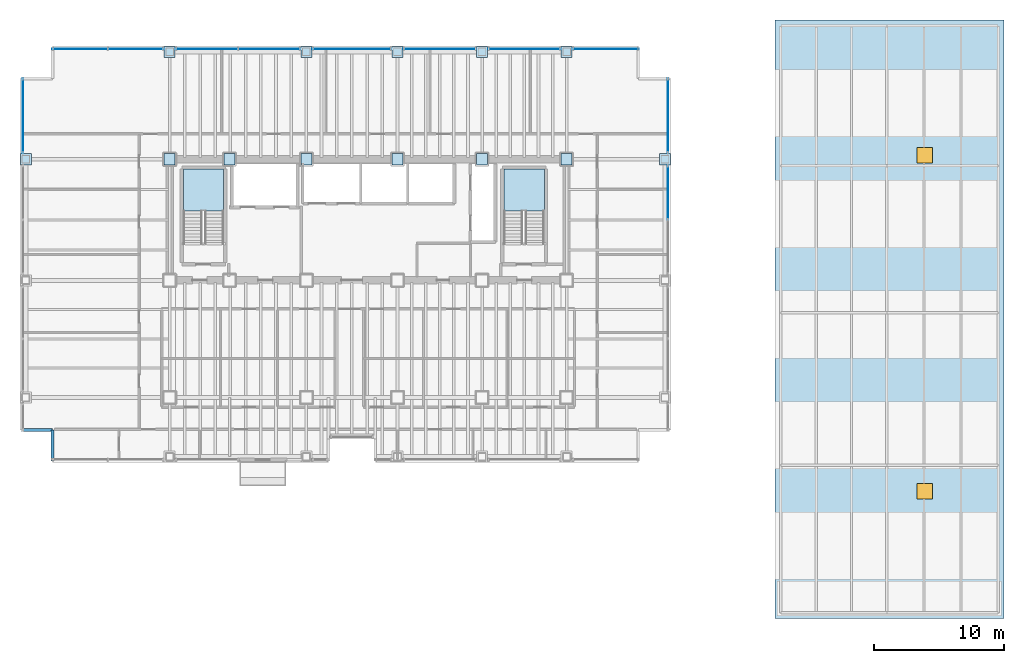
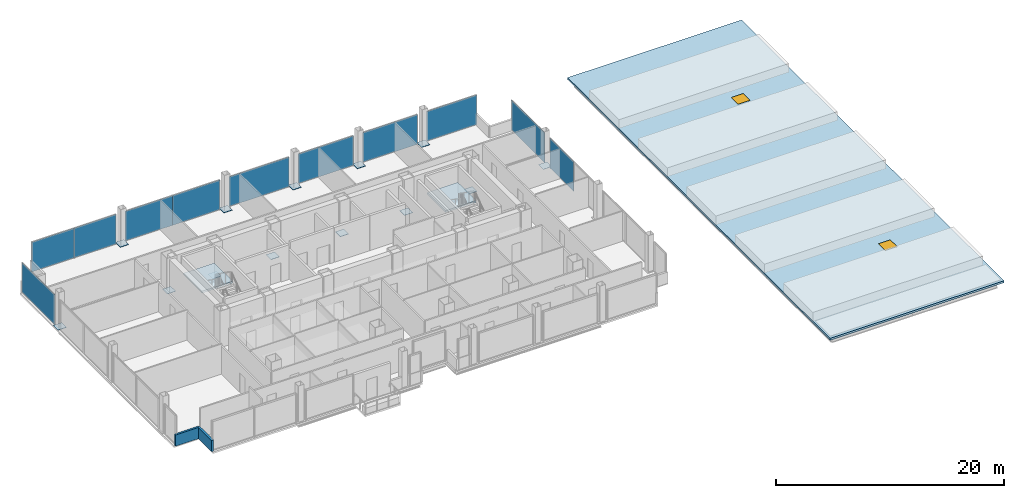
# One storey, part 24 of 30: 24 plates, 3 slabs, 2 walls, 2 windows, 2 openings, 11 elements without a shape of their own.
"""IFC4 building model written with IfcOpenShell, lengths in metres."""

from ifc_helpers import new_model, si_unit, direction, frame, frame_2d, origin, origin_2d, place, context, subcontext, project, spatial, polyline, rectangle, outline, extrude, material, layer, layer_set, type_object, element, fill, aggregate, save


model = new_model("IFC4")

# Units and contexts
model_context = context("Model", 3, precision=1e-05, world=origin(), true_north=direction((0.0, 1.0)))
body_context = subcontext(model_context, "Body", "Model", "MODEL_VIEW")
ifc_project = project(units=[si_unit("LENGTHUNIT", "METRE"), si_unit("AREAUNIT", "SQUARE_METRE"), si_unit("VOLUMEUNIT", "CUBIC_METRE"), si_unit("PLANEANGLEUNIT", "RADIAN"), si_unit("MASSUNIT", "GRAM", prefix="KILO")], contexts=[model_context])

# Site, building, storey
site_placement = place(None, origin())
site = spatial("IfcSite", under=ifc_project, at=site_placement, CompositionType="ELEMENT")
building_placement = place(site_placement, origin())
building = spatial("IfcBuilding", under=site, at=building_placement, Name="Noeulbin Bourse Tower", CompositionType="ELEMENT")
storey_placement = place(building_placement, frame((0.0, 0.0, 26.5)))
storey = spatial("IfcBuildingStorey", under=building, at=storey_placement, Name="L06", CompositionType="ELEMENT", Elevation=26.5)

# Curtain wall, plates
ifc_material_1 = material(Name="Dark Solar-Control Double Glazing", Category="glass")
curtain_wall_type = type_object("IfcCurtainWallType", Name="CW-SYS-2", PredefinedType="NOTDEFINED", material=ifc_material_1)
curtain_wall_1_placement = place(storey_placement, origin())
curtain_wall_1 = element("IfcCurtainWall", 1, at=curtain_wall_1_placement, inside=storey, type_object=curtain_wall_type, Name="Unitised Curtain Wall CW-L06-N-S1", PredefinedType="NOTDEFINED")
ifc_layer_1 = layer(ifc_material_1, 0.035888671875)
ifc_layer_set_1 = layer_set([ifc_layer_1], Name="Dark Solar-Control Double Glazing")
plate_type_1 = type_object("IfcPlateType", Name="CW-SYS-2-PNL", PredefinedType="CURTAIN_PANEL", material=ifc_layer_set_1)
plate_1_placement = place(storey_placement, frame((6.6201171875, 46.780029296875, 0.0), z_axis=(0.0, 0.0, 1.0), x_axis=(1.0, 0.0, 0.0)))
plate_1 = element("IfcPlate", 2, at=plate_1_placement, type_object=plate_type_1, Name="Glazed Curtain Panel CW-L06-N-S1-P00", PredefinedType="CURTAIN_PANEL", context=body_context, shape_type="SweptSolid", body=[
    extrude(rectangle(XDim=4.280029296875, YDim=0.035888671875, at=origin_2d()), origin(), (0.0, 0.0, 1.0), 3.179931640625),
])
plate_2_placement = place(storey_placement, frame((10.89990234375, 46.780029296875, 0.0), z_axis=(0.0, 0.0, 1.0), x_axis=(1.0, 0.0, 0.0)))
plate_2 = element("IfcPlate", 3, at=plate_2_placement, type_object=plate_type_1, Name="Glazed Curtain Panel CW-L06-N-S1-P01", PredefinedType="CURTAIN_PANEL", context=body_context, shape_type="SweptSolid", body=[
    extrude(rectangle(XDim=4.280029296875, YDim=0.035888671875, at=origin_2d()), origin(), (0.0, 0.0, 1.0), 3.179931640625),
])
aggregate(curtain_wall_1, [plate_1, plate_2])

curtain_wall_2_placement = place(storey_placement, origin())
curtain_wall_2 = element("IfcCurtainWall", 4, at=curtain_wall_2_placement, inside=storey, type_object=curtain_wall_type, Name="Unitised Curtain Wall CW-L06-N-S2", PredefinedType="NOTDEFINED")
plate_3_placement = place(storey_placement, frame((16.35498046875, 46.780029296875, 0.0), z_axis=(0.0, 0.0, 1.0), x_axis=(1.0, 0.0, 0.0)))
plate_3 = element("IfcPlate", 5, at=plate_3_placement, type_object=plate_type_1, Name="Glazed Curtain Panel CW-L06-N-S2-P00", PredefinedType="CURTAIN_PANEL", context=body_context, shape_type="SweptSolid", body=[
    extrude(rectangle(XDim=4.7900390625, YDim=0.035888671875, at=origin_2d()), origin(), (0.0, 0.0, 1.0), 3.179931640625),
])
plate_4_placement = place(storey_placement, frame((21.14501953125, 46.780029296875, 0.0), z_axis=(0.0, 0.0, 1.0), x_axis=(1.0, 0.0, 0.0)))
plate_4 = element("IfcPlate", 6, at=plate_4_placement, type_object=plate_type_1, Name="Glazed Curtain Panel CW-L06-N-S2-P01", PredefinedType="CURTAIN_PANEL", context=body_context, shape_type="SweptSolid", body=[
    extrude(rectangle(XDim=4.7900390625, YDim=0.035888671875, at=origin_2d()), origin(), (0.0, 0.0, 1.0), 3.179931640625),
])
aggregate(curtain_wall_2, [plate_3, plate_4])

# Curtain wall, plate
curtain_wall_3_placement = place(storey_placement, origin())
curtain_wall_3 = element("IfcCurtainWall", 7, at=curtain_wall_3_placement, inside=storey, type_object=curtain_wall_type, Name="Unitised Curtain Wall CW-L06-N-S3", PredefinedType="NOTDEFINED")
plate_5_placement = place(storey_placement, frame((27.5, 46.780029296875, 0.0), z_axis=(0.0, 0.0, 1.0), x_axis=(1.0, 0.0, 0.0)))
plate_5 = element("IfcPlate", 8, at=plate_5_placement, type_object=plate_type_1, Name="Glazed Curtain Panel CW-L06-N-S3-P00", PredefinedType="CURTAIN_PANEL", context=body_context, shape_type="SweptSolid", body=[
    extrude(rectangle(XDim=6.080078125, YDim=0.035888671875, at=origin_2d()), origin(), (0.0, 0.0, 1.0), 3.179931640625),
])
aggregate(curtain_wall_3, [plate_5])

curtain_wall_4_placement = place(storey_placement, origin())
curtain_wall_4 = element("IfcCurtainWall", 9, at=curtain_wall_4_placement, inside=storey, type_object=curtain_wall_type, Name="Unitised Curtain Wall CW-L06-N-S4", PredefinedType="NOTDEFINED")
plate_6_placement = place(storey_placement, frame((34.25, 46.780029296875, 0.0), z_axis=(0.0, 0.0, 1.0), x_axis=(1.0, 0.0, 0.0)))
plate_6 = element("IfcPlate", 10, at=plate_6_placement, type_object=plate_type_1, Name="Glazed Curtain Panel CW-L06-N-S4-P00", PredefinedType="CURTAIN_PANEL", context=body_context, shape_type="SweptSolid", body=[
    extrude(rectangle(XDim=5.580078125, YDim=0.035888671875, at=origin_2d()), origin(), (0.0, 0.0, 1.0), 3.179931640625),
])
aggregate(curtain_wall_4, [plate_6])

curtain_wall_5_placement = place(storey_placement, origin())
curtain_wall_5 = element("IfcCurtainWall", 11, at=curtain_wall_5_placement, inside=storey, type_object=curtain_wall_type, Name="Unitised Curtain Wall CW-L06-N-S5", PredefinedType="NOTDEFINED")
plate_7_placement = place(storey_placement, frame((40.75, 46.780029296875, 0.0), z_axis=(0.0, 0.0, 1.0), x_axis=(1.0, 0.0, 0.0)))
plate_7 = element("IfcPlate", 12, at=plate_7_placement, type_object=plate_type_1, Name="Glazed Curtain Panel CW-L06-N-S5-P00", PredefinedType="CURTAIN_PANEL", context=body_context, shape_type="SweptSolid", body=[
    extrude(rectangle(XDim=5.580078125, YDim=0.035888671875, at=origin_2d()), origin(), (0.0, 0.0, 1.0), 3.179931640625),
])
aggregate(curtain_wall_5, [plate_7])

curtain_wall_6_placement = place(storey_placement, origin())
curtain_wall_6 = element("IfcCurtainWall", 13, at=curtain_wall_6_placement, inside=storey, type_object=curtain_wall_type, Name="Unitised Curtain Wall CW-L06-N-S6", PredefinedType="NOTDEFINED")
plate_8_placement = place(storey_placement, frame((46.989990234375, 46.780029296875, 0.0), z_axis=(0.0, 0.0, 1.0), x_axis=(1.0, 0.0, 0.0)))
plate_8 = element("IfcPlate", 14, at=plate_8_placement, type_object=plate_type_1, Name="Glazed Curtain Panel CW-L06-N-S6-P00", PredefinedType="CURTAIN_PANEL", context=body_context, shape_type="SweptSolid", body=[
    extrude(rectangle(XDim=5.06005859375, YDim=0.035888671875, at=origin_2d()), origin(), (0.0, 0.0, 1.0), 3.179931640625),
])
aggregate(curtain_wall_6, [plate_8])

curtain_wall_7_placement = place(storey_placement, origin())
curtain_wall_7 = element("IfcCurtainWall", 15, at=curtain_wall_7_placement, inside=storey, type_object=curtain_wall_type, Name="Unitised Curtain Wall CW-L06-W-S4", PredefinedType="NOTDEFINED")
plate_9_placement = place(storey_placement, frame((2.219970703125, 41.639892578125, 0.0), z_axis=(0.0, 0.0, 1.0), x_axis=(0.0, 1.0, 0.0)))
plate_9 = element("IfcPlate", 16, at=plate_9_placement, type_object=plate_type_1, Name="Glazed Curtain Panel CW-L06-W-S4-P00", PredefinedType="CURTAIN_PANEL", context=body_context, shape_type="SweptSolid", body=[
    extrude(rectangle(XDim=5.760009765625, YDim=0.035888671875, at=origin_2d()), origin(), (0.0, 0.0, 1.0), 3.179931640625),
])
aggregate(curtain_wall_7, [plate_9])

curtain_wall_8_placement = place(storey_placement, origin())
curtain_wall_8 = element("IfcCurtainWall", 17, at=curtain_wall_8_placement, inside=storey, type_object=curtain_wall_type, Name="Unitised Curtain Wall CW-L06-E-S3", PredefinedType="NOTDEFINED")
plate_10_placement = place(storey_placement, frame((51.780029296875, 35.7451171875, 0.0), z_axis=(0.0, 0.0, 1.0), x_axis=(0.0, 1.0, 0.0)))
plate_10 = element("IfcPlate", 18, at=plate_10_placement, type_object=plate_type_1, Name="Glazed Curtain Panel CW-L06-E-S3-P01", PredefinedType="CURTAIN_PANEL", context=body_context, shape_type="SweptSolid", body=[
    extrude(rectangle(XDim=4.18994140625, YDim=0.035888671875, at=origin_2d()), origin(), (0.0, 0.0, 1.0), 3.179931640625),
])
aggregate(curtain_wall_8, [plate_10])

curtain_wall_9_placement = place(storey_placement, origin())
curtain_wall_9 = element("IfcCurtainWall", 19, at=curtain_wall_9_placement, inside=storey, type_object=curtain_wall_type, Name="Unitised Curtain Wall CW-L06-E-S4", PredefinedType="NOTDEFINED")
plate_11_placement = place(storey_placement, frame((51.780029296875, 41.639892578125, 0.0), z_axis=(0.0, 0.0, 1.0), x_axis=(0.0, 1.0, 0.0)))
plate_11 = element("IfcPlate", 20, at=plate_11_placement, type_object=plate_type_1, Name="Glazed Curtain Panel CW-L06-E-S4-P00", PredefinedType="CURTAIN_PANEL", context=body_context, shape_type="SweptSolid", body=[
    extrude(rectangle(XDim=5.760009765625, YDim=0.035888671875, at=origin_2d()), origin(), (0.0, 0.0, 1.0), 3.179931640625),
])
aggregate(curtain_wall_9, [plate_11])

# Plates
ifc_material_2 = material(Name="Steel S355", Category="steel")
ifc_layer_2 = layer(ifc_material_2, 0.030029296875)
ifc_layer_set_2 = layer_set([ifc_layer_2], Name="Steel S355")
plate_type_2 = type_object("IfcPlateType", Name="PLT-BN1", PredefinedType="USERDEFINED", material=ifc_layer_set_2)
for number, where, z_axis, x_axis, name in (
    (21, (13.5, 38.300048828125, 0.0048828125), (0.0, 0.0, 1.0), (1.0, 0.0, 0.0), "Mega-Column Splice Plate BN1-L06-02"),
    (22, (18.10009765625, 38.300048828125, 0.0048828125), (0.0, 0.0, 1.0), (1.0, 0.0, 0.0), "Mega-Column Splice Plate BN1-L06-04"),
    (23, (24.0, 38.300048828125, 0.0048828125), (0.0, 0.0, 1.0), (1.0, 0.0, 0.0), "Mega-Column Splice Plate BN1-L06-06"),
    (24, (31.0, 38.300048828125, 0.0048828125), (0.0, 0.0, 1.0), (1.0, 0.0, 0.0), "Mega-Column Splice Plate BN1-L06-08"),
    (25, (37.5, 38.300048828125, 0.0048828125), (0.0, 0.0, 1.0), (1.0, 0.0, 0.0), "Mega-Column Splice Plate BN1-L06-10"),
    (26, (44.0, 38.300048828125, 0.0048828125), (0.0, 0.0, 1.0), (1.0, 0.0, 0.0), "Mega-Column Splice Plate BN1-L06-12"),
    (27, (2.449951171875, 38.300048828125, 0.0048828125), (0.0, 0.0, 1.0), (1.0, 0.0, 0.0), "Perimeter Column Splice Plate BN1-L06-03"),
    (28, (13.5, 46.550048828125, 0.0048828125), (0.0, 0.0, 1.0), (1.0, 0.0, 0.0), "Perimeter Column Splice Plate BN1-L06-05"),
    (29, (24.0, 46.550048828125, 0.0048828125), (0.0, 0.0, 1.0), (1.0, 0.0, 0.0), "Perimeter Column Splice Plate BN1-L06-07"),
    (30, (31.0, 46.550048828125, 0.0048828125), (0.0, 0.0, 1.0), (1.0, 0.0, 0.0), "Perimeter Column Splice Plate BN1-L06-09"),
    (31, (37.5, 46.550048828125, 0.0048828125), (0.0, 0.0, 1.0), (1.0, 0.0, 0.0), "Perimeter Column Splice Plate BN1-L06-11"),
    (32, (44.0, 46.550048828125, 0.0048828125), (0.0, 0.0, 1.0), (1.0, 0.0, 0.0), "Perimeter Column Splice Plate BN1-L06-13"),
    (33, (51.550048828125, 38.300048828125, 0.0048828125), (0.0, 0.0, 1.0), (1.0, 0.0, 0.0), "Perimeter Column Splice Plate BN1-L06-16"),
):
    element("IfcPlate", number, at=place(storey_placement, frame(where, z_axis=z_axis, x_axis=x_axis)), inside=storey, type_object=plate_type_2, Name=name, ObjectType="SPLICE PLATE", PredefinedType="USERDEFINED", context=body_context, shape_type="SweptSolid", body=[
        extrude(rectangle(XDim=0.85009765625, YDim=0.85009765625, at=origin_2d()), origin(), (0.0, 0.0, 1.0), 0.030029296875),
    ])

# Stair, slab
ifc_material_3 = material(Name="Concrete C40/50", Category="concrete")
stair_type = type_object("IfcStairType", Name="STR-CORE-1560", PredefinedType="HALF_TURN_STAIR", material=ifc_material_3)
stair_1_placement = place(storey_placement, origin())
stair_1 = element("IfcStair", 34, at=stair_1_placement, inside=storey, type_object=stair_type, Name="L06 ST-1", PredefinedType="HALF_TURN_STAIR")
ifc_layer_3 = layer(ifc_material_3, 0.199951171875)
ifc_layer_set_3 = layer_set([ifc_layer_3], Name="Concrete C40/50")
slab_type_1 = type_object("IfcSlabType", Name="SLB-LND-200", PredefinedType="LANDING", material=ifc_layer_set_3)
slab_1_placement = place(storey_placement, frame((0.0, 0.0, 1.75)))
slab_1 = element("IfcSlab", 35, at=slab_1_placement, type_object=slab_type_1, Name="ST-1 landing 1", PredefinedType="LANDING", context=body_context, shape_type="SweptSolid", body=[
    extrude(outline(polyline([(17.64990234375, 34.330078125), (17.64990234375, 37.5439453125), (14.550048828125, 37.5439453125), (14.550048828125, 34.330078125), (17.64990234375, 34.330078125)])), origin(), (0.0, 0.0, 1.0), 0.199951171875),
])
aggregate(stair_1, [slab_1])

stair_2_placement = place(storey_placement, origin())
stair_2 = element("IfcStair", 36, at=stair_2_placement, inside=storey, type_object=stair_type, Name="L06 ST-2", PredefinedType="HALF_TURN_STAIR")
slab_2_placement = place(storey_placement, frame((0.0, 0.0, 1.75)))
slab_2 = element("IfcSlab", 37, at=slab_2_placement, type_object=slab_type_1, Name="ST-2 landing 1", PredefinedType="LANDING", context=body_context, shape_type="SweptSolid", body=[
    extrude(outline(polyline([(42.280029296875, 34.330078125), (42.280029296875, 37.5439453125), (39.179931640625, 37.5439453125), (39.179931640625, 34.330078125), (42.280029296875, 34.330078125)])), origin(), (0.0, 0.0, 1.0), 0.199951171875),
])
aggregate(stair_2, [slab_2])

# Slab, openings, windows
ifc_layer_4 = layer(ifc_material_3, 0.2099609375)
ifc_layer_set_4 = layer_set([ifc_layer_4], Name="Concrete C40/50")
slab_type_2 = type_object("IfcSlabType", Name="SLB-MRF-210", PredefinedType="ROOF", material=ifc_layer_set_4)
slab_3_placement = place(storey_placement, frame((0.0, 0.0, -0.2099609375)))
slab_3 = element("IfcSlab", 38, at=slab_3_placement, inside=storey, type_object=slab_type_2, Name="Market Hall Sawtooth Monitor Roof Slab", PredefinedType="ROOF", context=body_context, shape_type="SweptSolid", body=[
    extrude(outline(polyline([(60.0, 3.0), (77.60009765625, 3.0), (77.60009765625, 49.0), (60.0, 49.0), (60.0, 3.0)])), origin(), (0.0, 0.0, 1.0), 0.2099609375),
])
opening_1_placement = place(slab_3_placement, frame((71.5, 12.800048828125, 0.0)))
opening_1 = element("IfcOpeningElement", 39, at=opening_1_placement, cuts=slab_3, Name="Opening RH-01", PredefinedType="OPENING", context=body_context, shape_type="SweptSolid", body=[
    extrude(rectangle(XDim=1.199951171875, YDim=1.199951171875, at=origin_2d()), origin(), (0.0, 0.0, 1.0), 0.2099609375),
])
opening_2_placement = place(slab_3_placement, frame((71.5, 38.60009765625, 0.0)))
opening_2 = element("IfcOpeningElement", 40, at=opening_2_placement, cuts=slab_3, Name="Opening RH-01", PredefinedType="OPENING", context=body_context, shape_type="SweptSolid", body=[
    extrude(rectangle(XDim=1.199951171875, YDim=1.199951171875, at=origin_2d()), origin(), (0.0, 0.0, 1.0), 0.2099609375),
])
ifc_material_4 = material(Name="Thermally Broken Aluminium Insulated Roof Hatch", Category="aluminium")
window_type = type_object("IfcWindowType", Name="WIN-HATCH-1200", PartitioningType="SINGLE_PANEL", PredefinedType="SKYLIGHT", material=ifc_material_4)
window_1_placement = place(opening_1_placement, frame((0.0, 0.0, 0.159912109375)))
window_1 = element("IfcWindow", 41, at=window_1_placement, inside=storey, type_object=window_type, Name="Market Roof Maintenance Access Hatch RH-M1", OverallHeight=1.199951171875, OverallWidth=1.199951171875, PartitioningType="SINGLE_PANEL", PredefinedType="SKYLIGHT", context=body_context, shape_type="SweptSolid", body=[
    extrude(rectangle(XDim=1.199951171875, YDim=1.199951171875, at=origin_2d()), origin(), (0.0, 0.0, 1.0), 0.050048828125),
])
fill(opening_1, window_1)
window_2_placement = place(opening_2_placement, frame((0.0, 0.0, 0.159912109375)))
window_2 = element("IfcWindow", 42, at=window_2_placement, inside=storey, type_object=window_type, Name="Market Roof Maintenance Access Hatch RH-M2", OverallHeight=1.199951171875, OverallWidth=1.199951171875, PartitioningType="SINGLE_PANEL", PredefinedType="SKYLIGHT", context=body_context, shape_type="SweptSolid", body=[
    extrude(rectangle(XDim=1.199951171875, YDim=1.199951171875, at=origin_2d()), origin(), (0.0, 0.0, 1.0), 0.050048828125),
])
fill(opening_2, window_2)

# Walls
ifc_layer_5 = layer(ifc_material_3, 0.199951171875)
ifc_layer_set_5 = layer_set([ifc_layer_5], Name="Concrete C40/50")
wall_type = type_object("IfcWallType", Name="WAL-PAR-200", PredefinedType="PARAPET", material=ifc_layer_set_5)
for number, where, z_axis, x_axis, name in (
    (43, (2.10009765625, 17.5, 0.0), (0.0, 0.0, 1.0), (1.0, 0.0, 0.0), "Corner Notch Parapet L06-SW1"),
    (44, (4.5, 17.5, 0.0), (0.0, 0.0, 1.0), (0.0, -1.0, 0.0), "Corner Notch Parapet L06-SW2"),
):
    element("IfcWall", number, at=place(storey_placement, frame(where, z_axis=z_axis, x_axis=x_axis)), inside=storey, type_object=wall_type, Name=name, PredefinedType="PARAPET", context=body_context, shape_type="SweptSolid", body=[
        extrude(rectangle(XDim=2.39990234375, YDim=0.199951171875, at=frame_2d((1.199951171875, 0.0))), origin(), (0.0, 0.0, 1.0), 1.199951171875),
    ])

save(model, "model.ifc")
